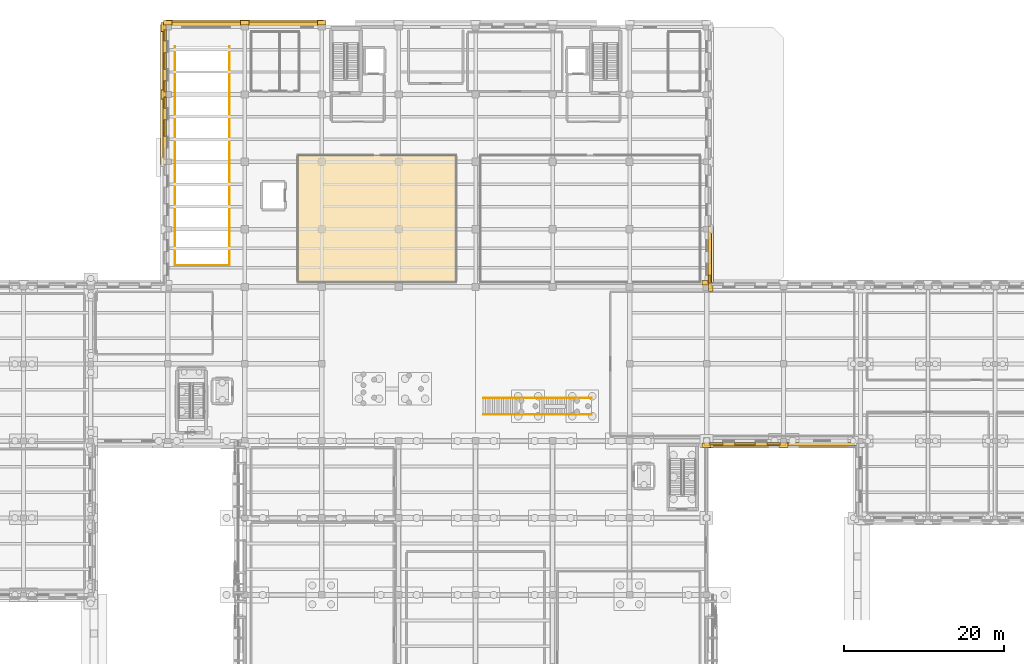
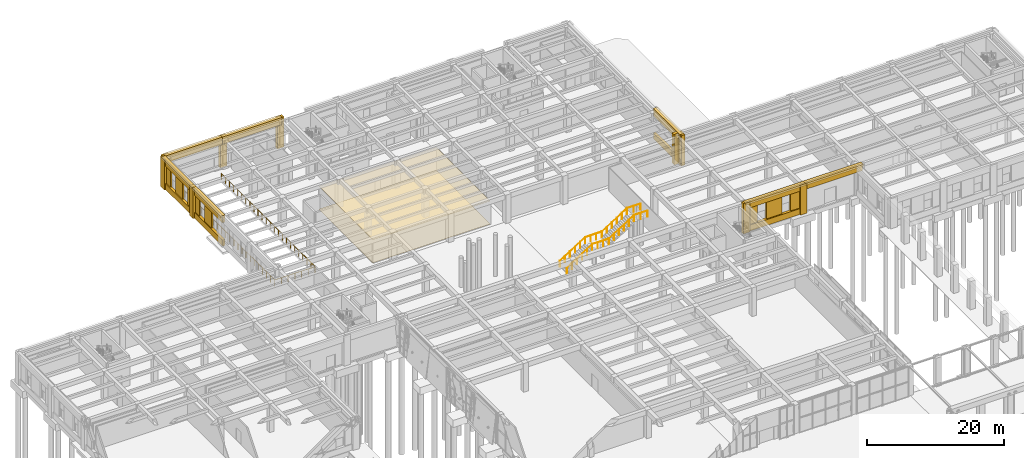
# One storey, part 45 of 51: 38 coverings, 3 railings.
"""IFC4 building model written with IfcOpenShell, lengths in metres."""

from ifc_helpers import new_model, si_unit, direction, frame, origin, origin_2d, place, context, subcontext, project, spatial, polyline, rectangle, circle, outline, extrude, material, layer, layer_set, type_object, element, save


model = new_model("IFC4")

# Units and contexts
model_context = context("Model", 3, precision=1e-05, world=origin(), true_north=direction((0.0, 1.0)))
body_context = subcontext(model_context, "Body", "Model", "MODEL_VIEW")
ifc_project = project(units=[si_unit("LENGTHUNIT", "METRE"), si_unit("AREAUNIT", "SQUARE_METRE"), si_unit("VOLUMEUNIT", "CUBIC_METRE"), si_unit("PLANEANGLEUNIT", "RADIAN"), si_unit("MASSUNIT", "GRAM", prefix="KILO")], contexts=[model_context])

# Site, building, storey
site_placement = place(None, origin())
site = spatial("IfcSite", under=ifc_project, at=site_placement, CompositionType="ELEMENT")
building_placement = place(site_placement, origin())
building = spatial("IfcBuilding", under=site, at=building_placement, Name="Bempovik Park Faculty of Sciences", CompositionType="ELEMENT")
storey_placement = place(building_placement, origin())
storey = spatial("IfcBuildingStorey", under=building, at=storey_placement, Name="L00", CompositionType="ELEMENT", Elevation=0.0)

# Coverings
ifc_material_1 = material(Name="Acoustic mineral ceiling tile")
ifc_layer_1 = layer(ifc_material_1, 0.0400390625)
ifc_layer_set_1 = layer_set([ifc_layer_1], Name="Acoustic mineral ceiling tile")
covering_type_1 = type_object("IfcCoveringType", Name="CE-01 Acoustic Ceiling 40mm", PredefinedType="CEILING", material=ifc_layer_set_1)
covering_1_placement = place(storey_placement, frame((0.0, 0.0, 4.080078125)))
element("IfcCovering", 1, at=covering_1_placement, inside=storey, type_object=covering_type_1, Name="L00 Faculty Admissions and Student Services Office Acoustic Ceiling", PredefinedType="CEILING", context=body_context, shape_type="SweptSolid", body=[
    extrude(outline(polyline([(66.6298828125, 87.6298828125), (86.3701171875, 87.6298828125), (86.3701171875, 103.3701171875), (66.6298828125, 103.3701171875), (66.6298828125, 87.6298828125)])), origin(), (0.0, 0.0, 1.0), 0.0400390625),
])
ifc_material_2 = material(Name="Precast concrete C40/50", Category="concrete")
ifc_layer_2 = layer(ifc_material_2, 0.179931640625)
ifc_layer_set_2 = layer_set([ifc_layer_2], Name="Precast concrete C40/50")
covering_type_2 = type_object("IfcCoveringType", Name="CL-02 Classical Cornice Band 180mm", PredefinedType="CLADDING", material=ifc_layer_set_2)
for number, where, z_axis, x_axis, name in (
    (2, (49.8701171875, 106.800048828125, 5.0400390625), (0.0, 0.0, 1.0), (1.0, 0.0, 0.0), "L00 Classical Projecting Dentil Cornice EW-L00-5825"),
    (3, (49.8701171875, 115.199951171875, 5.0400390625), (0.0, 0.0, 1.0), (1.0, 0.0, 0.0), "L00 Classical Projecting Dentil Cornice EW-L00-5835"),
):
    element("IfcCovering", number, at=place(storey_placement, frame(where, z_axis=z_axis, x_axis=x_axis)), inside=storey, type_object=covering_type_2, Name=name, PredefinedType="CLADDING", context=body_context, shape_type="SweptSolid", body=[
        extrude(rectangle(XDim=0.719970703125, YDim=9.0458984375, at=origin_2d()), origin(), (0.0, 0.0, 1.0), 0.360107421875),
    ])
for number, where, z_axis, x_axis, name in (
    (4, (55.199951171875, 119.929931640625, 5.0400390625), (0.0, 0.0, 1.0), (1.0, 0.0, 0.0), "L00 Classical Projecting Dentil Cornice EW-L00-5845"),
    (5, (64.800048828125, 119.929931640625, 5.0400390625), (0.0, 0.0, 1.0), (1.0, 0.0, 0.0), "L00 Classical Projecting Dentil Cornice EW-L00-5850"),
):
    element("IfcCovering", number, at=place(storey_placement, frame(where, z_axis=z_axis, x_axis=x_axis)), inside=storey, type_object=covering_type_2, Name=name, PredefinedType="CLADDING", context=body_context, shape_type="SweptSolid", body=[
        extrude(rectangle(XDim=10.0458984375, YDim=0.719970703125, at=origin_2d()), origin(), (0.0, 0.0, 1.0), 0.360107421875),
    ])
covering_2_placement = place(storey_placement, frame((118.1298828125, 90.64990234375, 5.0400390625), z_axis=(0.0, 0.0, 1.0), x_axis=(1.0, 0.0, 0.0)))
element("IfcCovering", 6, at=covering_2_placement, inside=storey, type_object=covering_type_2, Name="L00 Classical Projecting Dentil Cornice EW-L00-5880", PredefinedType="CLADDING", context=body_context, shape_type="SweptSolid", body=[
    extrude(rectangle(XDim=0.719970703125, YDim=7.74609375, at=origin_2d()), origin(), (0.0, 0.0, 1.0), 0.360107421875),
])
covering_3_placement = place(storey_placement, frame((122.39990234375, 67.27001953125, 5.0400390625), z_axis=(0.0, 0.0, 1.0), x_axis=(1.0, 0.0, 0.0)))
element("IfcCovering", 7, at=covering_3_placement, inside=storey, type_object=covering_type_2, Name="L00 Classical Projecting Dentil Cornice EW-L00-6051", PredefinedType="CLADDING", context=body_context, shape_type="SweptSolid", body=[
    extrude(rectangle(XDim=10.14599609375, YDim=0.719970703125, at=origin_2d()), origin(), (0.0, 0.0, 1.0), 0.360107421875),
])
covering_4_placement = place(storey_placement, frame((132.044921875, 67.27001953125, 5.0400390625), z_axis=(0.0, 0.0, 1.0), x_axis=(1.0, 0.0, 0.0)))
element("IfcCovering", 8, at=covering_4_placement, inside=storey, type_object=covering_type_2, Name="L00 Classical Projecting Dentil Cornice EW-L00-6062", PredefinedType="CLADDING", context=body_context, shape_type="SweptSolid", body=[
    extrude(rectangle(XDim=10.236083984375, YDim=0.719970703125, at=origin_2d()), origin(), (0.0, 0.0, 1.0), 0.360107421875),
])
ifc_material_3 = material(Name="White reconstituted limestone precast C40/50", Category="masonry")
ifc_layer_3 = layer(ifc_material_3, 0.239990234375)
ifc_layer_set_3 = layer_set([ifc_layer_3], Name="White reconstituted limestone precast C40/50")
covering_type_3 = type_object("IfcCoveringType", Name="CL-03 Classical Fluted Limestone Pilaster 240mm", PredefinedType="CLADDING", material=ifc_layer_set_3)
covering_5_placement = place(storey_placement, frame((50.010009765625, 106.800048828125, 4.1201171875), z_axis=(0.0, 0.0, 1.0), x_axis=(1.0, 0.0, 0.0)))
element("IfcCovering", 9, at=covering_5_placement, inside=storey, type_object=covering_type_3, Name="L00 Classical Limestone Spandrel Entablature EW-L00-5825", PredefinedType="CLADDING", context=body_context, shape_type="SweptSolid", body=[
    extrude(rectangle(XDim=0.43994140625, YDim=9.0458984375, at=origin_2d()), origin(), (0.0, 0.0, 1.0), 1.280029296875),
])
covering_6_placement = place(storey_placement, frame((50.010009765625, 106.800048828125, 0.0), z_axis=(0.0, 0.0, 1.0), x_axis=(1.0, 0.0, 0.0)))
element("IfcCovering", 10, at=covering_6_placement, inside=storey, type_object=covering_type_3, Name="L00 Classical Limestone Sill Dado EW-L00-5825", PredefinedType="CLADDING", context=body_context, shape_type="SweptSolid", body=[
    extrude(rectangle(XDim=0.43994140625, YDim=9.0458984375, at=origin_2d()), origin(), (0.0, 0.0, 1.0), 1.050048828125),
])
covering_7_placement = place(storey_placement, frame((49.8701171875, 111.0, 0.0), z_axis=(0.0, 0.0, 1.0), x_axis=(1.0, 0.0, 0.0)))
element("IfcCovering", 11, at=covering_7_placement, inside=storey, type_object=covering_type_3, Name="L00 Classical Fluted Stone Pilaster PIL-BA-L00-499-1110", PredefinedType="CLADDING", context=body_context, shape_type="SweptSolid", body=[
    extrude(rectangle(XDim=0.580078125, YDim=1.10009765625, at=origin_2d()), origin(), (0.0, 0.0, 1.0), 5.39990234375),
])
covering_8_placement = place(storey_placement, frame((50.070068359375, 106.800048828125, 0.0), z_axis=(0.0, 0.0, 1.0), x_axis=(1.0, 0.0, 0.0)))
element("IfcCovering", 12, at=covering_8_placement, inside=storey, type_object=covering_type_3, Name="L00 White Limestone Wall Cheek EW-L00-5825-2", PredefinedType="CLADDING", context=body_context, shape_type="SweptSolid", body=[
    extrude(rectangle(XDim=0.239990234375, YDim=2.060302734375, at=origin_2d()), origin(), (0.0, 0.0, 1.0), 4.280029296875),
])
covering_9_placement = place(storey_placement, frame((50.070068359375, 109.97900390625, 0.0), z_axis=(0.0, 0.0, 1.0), x_axis=(1.0, 0.0, 0.0)))
element("IfcCovering", 13, at=covering_9_placement, inside=storey, type_object=covering_type_3, Name="L00 White Limestone Wall Cheek EW-L00-5825-4", PredefinedType="CLADDING", context=body_context, shape_type="SweptSolid", body=[
    extrude(rectangle(XDim=0.239990234375, YDim=1.337890625, at=origin_2d()), origin(), (0.0, 0.0, 1.0), 4.280029296875),
])
covering_10_placement = place(storey_placement, frame((50.010009765625, 115.199951171875, 4.1201171875), z_axis=(0.0, 0.0, 1.0), x_axis=(1.0, 0.0, 0.0)))
element("IfcCovering", 14, at=covering_10_placement, inside=storey, type_object=covering_type_3, Name="L00 Classical Limestone Spandrel Entablature EW-L00-5835", PredefinedType="CLADDING", context=body_context, shape_type="SweptSolid", body=[
    extrude(rectangle(XDim=0.43994140625, YDim=9.0458984375, at=origin_2d()), origin(), (0.0, 0.0, 1.0), 1.280029296875),
])
covering_11_placement = place(storey_placement, frame((50.010009765625, 115.199951171875, 0.0), z_axis=(0.0, 0.0, 1.0), x_axis=(1.0, 0.0, 0.0)))
element("IfcCovering", 15, at=covering_11_placement, inside=storey, type_object=covering_type_3, Name="L00 Classical Limestone Sill Dado EW-L00-5835", PredefinedType="CLADDING", context=body_context, shape_type="SweptSolid", body=[
    extrude(rectangle(XDim=0.43994140625, YDim=9.0458984375, at=origin_2d()), origin(), (0.0, 0.0, 1.0), 1.050048828125),
])
covering_12_placement = place(storey_placement, frame((49.8701171875, 119.39990234375, 0.0), z_axis=(0.0, 0.0, 1.0), x_axis=(1.0, 0.0, 0.0)))
element("IfcCovering", 16, at=covering_12_placement, inside=storey, type_object=covering_type_3, Name="L00 Classical Fluted Stone Pilaster PIL-BA-L00-499-1194", PredefinedType="CLADDING", context=body_context, shape_type="SweptSolid", body=[
    extrude(rectangle(XDim=0.580078125, YDim=1.10009765625, at=origin_2d()), origin(), (0.0, 0.0, 1.0), 5.39990234375),
])
covering_13_placement = place(storey_placement, frame((50.070068359375, 112.02099609375, 0.0), z_axis=(0.0, 0.0, 1.0), x_axis=(1.0, 0.0, 0.0)))
element("IfcCovering", 17, at=covering_13_placement, inside=storey, type_object=covering_type_3, Name="L00 White Limestone Wall Cheek EW-L00-5835-0", PredefinedType="CLADDING", context=body_context, shape_type="SweptSolid", body=[
    extrude(rectangle(XDim=0.239990234375, YDim=1.337890625, at=origin_2d()), origin(), (0.0, 0.0, 1.0), 4.280029296875),
])
covering_14_placement = place(storey_placement, frame((50.070068359375, 115.199951171875, 0.0), z_axis=(0.0, 0.0, 1.0), x_axis=(1.0, 0.0, 0.0)))
element("IfcCovering", 18, at=covering_14_placement, inside=storey, type_object=covering_type_3, Name="L00 White Limestone Wall Cheek EW-L00-5835-2", PredefinedType="CLADDING", context=body_context, shape_type="SweptSolid", body=[
    extrude(rectangle(XDim=0.239990234375, YDim=2.060302734375, at=origin_2d()), origin(), (0.0, 0.0, 1.0), 4.280029296875),
])
covering_15_placement = place(storey_placement, frame((50.070068359375, 118.379150390625, 0.0), z_axis=(0.0, 0.0, 1.0), x_axis=(1.0, 0.0, 0.0)))
element("IfcCovering", 19, at=covering_15_placement, inside=storey, type_object=covering_type_3, Name="L00 White Limestone Wall Cheek EW-L00-5835-4", PredefinedType="CLADDING", context=body_context, shape_type="SweptSolid", body=[
    extrude(rectangle(XDim=0.239990234375, YDim=1.337890625, at=origin_2d()), origin(), (0.0, 0.0, 1.0), 4.280029296875),
])
covering_16_placement = place(storey_placement, frame((55.199951171875, 119.7900390625, 4.1201171875), z_axis=(0.0, 0.0, 1.0), x_axis=(1.0, 0.0, 0.0)))
element("IfcCovering", 20, at=covering_16_placement, inside=storey, type_object=covering_type_3, Name="L00 Classical Limestone Spandrel Entablature EW-L00-5845", PredefinedType="CLADDING", context=body_context, shape_type="SweptSolid", body=[
    extrude(rectangle(XDim=10.0458984375, YDim=0.43994140625, at=origin_2d()), origin(), (0.0, 0.0, 1.0), 1.280029296875),
])
for number, where, z_axis, x_axis, name in (
    (21, (50.39990234375, 119.929931640625, 0.0), (0.0, 0.0, 1.0), (1.0, 0.0, 0.0), "L00 Classical Fluted Stone Pilaster PIL-BA-L00-504-1199"),
    (22, (60.0, 119.929931640625, 0.0), (0.0, 0.0, 1.0), (1.0, 0.0, 0.0), "L00 Classical Fluted Stone Pilaster PIL-BA-L00-600-1199"),
):
    element("IfcCovering", number, at=place(storey_placement, frame(where, z_axis=z_axis, x_axis=x_axis)), inside=storey, type_object=covering_type_3, Name=name, PredefinedType="CLADDING", context=body_context, shape_type="SweptSolid", body=[
        extrude(rectangle(XDim=1.10009765625, YDim=0.580078125, at=origin_2d()), origin(), (0.0, 0.0, 1.0), 5.39990234375),
    ])
covering_17_placement = place(storey_placement, frame((64.800048828125, 119.7900390625, 4.1201171875), z_axis=(0.0, 0.0, 1.0), x_axis=(1.0, 0.0, 0.0)))
element("IfcCovering", 23, at=covering_17_placement, inside=storey, type_object=covering_type_3, Name="L00 Classical Limestone Spandrel Entablature EW-L00-5850", PredefinedType="CLADDING", context=body_context, shape_type="SweptSolid", body=[
    extrude(rectangle(XDim=10.0458984375, YDim=0.43994140625, at=origin_2d()), origin(), (0.0, 0.0, 1.0), 1.280029296875),
])
covering_18_placement = place(storey_placement, frame((69.60009765625, 119.929931640625, 0.0), z_axis=(0.0, 0.0, 1.0), x_axis=(1.0, 0.0, 0.0)))
element("IfcCovering", 24, at=covering_18_placement, inside=storey, type_object=covering_type_3, Name="L00 Classical Fluted Stone Pilaster PIL-BA-L00-696-1199", PredefinedType="CLADDING", context=body_context, shape_type="SweptSolid", body=[
    extrude(rectangle(XDim=1.10009765625, YDim=0.580078125, at=origin_2d()), origin(), (0.0, 0.0, 1.0), 5.39990234375),
])
covering_19_placement = place(storey_placement, frame((117.989990234375, 90.64990234375, 4.1201171875), z_axis=(0.0, 0.0, 1.0), x_axis=(1.0, 0.0, 0.0)))
element("IfcCovering", 25, at=covering_19_placement, inside=storey, type_object=covering_type_3, Name="L00 Classical Limestone Spandrel Entablature EW-L00-5880", PredefinedType="CLADDING", context=body_context, shape_type="SweptSolid", body=[
    extrude(rectangle(XDim=0.43994140625, YDim=7.74609375, at=origin_2d()), origin(), (0.0, 0.0, 1.0), 1.280029296875),
])
covering_20_placement = place(storey_placement, frame((117.989990234375, 90.64990234375, 0.0), z_axis=(0.0, 0.0, 1.0), x_axis=(1.0, 0.0, 0.0)))
element("IfcCovering", 26, at=covering_20_placement, inside=storey, type_object=covering_type_3, Name="L00 Classical Limestone Sill Dado EW-L00-5880", PredefinedType="CLADDING", context=body_context, shape_type="SweptSolid", body=[
    extrude(rectangle(XDim=0.43994140625, YDim=7.74609375, at=origin_2d()), origin(), (0.0, 0.0, 1.0), 1.050048828125),
])
covering_21_placement = place(storey_placement, frame((118.1298828125, 87.0, 0.0), z_axis=(0.0, 0.0, 1.0), x_axis=(1.0, 0.0, 0.0)))
element("IfcCovering", 27, at=covering_21_placement, inside=storey, type_object=covering_type_3, Name="L00 Classical Fluted Stone Pilaster PIL-BA-L00-1181-870", PredefinedType="CLADDING", context=body_context, shape_type="SweptSolid", body=[
    extrude(rectangle(XDim=0.580078125, YDim=1.10009765625, at=origin_2d()), origin(), (0.0, 0.0, 1.0), 5.39990234375),
])
covering_22_placement = place(storey_placement, frame((117.929931640625, 87.9453125, 0.0), z_axis=(0.0, 0.0, 1.0), x_axis=(1.0, 0.0, 0.0)))
element("IfcCovering", 28, at=covering_22_placement, inside=storey, type_object=covering_type_3, Name="L00 White Limestone Wall Cheek EW-L00-5880-0", PredefinedType="CLADDING", context=body_context, shape_type="SweptSolid", body=[
    extrude(rectangle(XDim=0.239990234375, YDim=0.98681640625, at=origin_2d()), origin(), (0.0, 0.0, 1.0), 4.280029296875),
])
covering_23_placement = place(storey_placement, frame((117.60009765625, 87.530029296875, 0.0), z_axis=(0.0, 0.0, 1.0), x_axis=(1.0, 0.0, 0.0)))
element("IfcCovering", 29, at=covering_23_placement, inside=storey, type_object=covering_type_3, Name="L00 Classical Fluted Stone Pilaster PIL-BA-L00-1176-875", PredefinedType="CLADDING", context=body_context, shape_type="SweptSolid", body=[
    extrude(rectangle(XDim=1.10009765625, YDim=0.580078125, at=origin_2d()), origin(), (0.0, 0.0, 1.0), 5.39990234375),
])
covering_24_placement = place(storey_placement, frame((122.39990234375, 67.409912109375, 4.1201171875), z_axis=(0.0, 0.0, 1.0), x_axis=(1.0, 0.0, 0.0)))
element("IfcCovering", 30, at=covering_24_placement, inside=storey, type_object=covering_type_3, Name="L00 Classical Limestone Spandrel Entablature EW-L00-6051", PredefinedType="CLADDING", context=body_context, shape_type="SweptSolid", body=[
    extrude(rectangle(XDim=10.14599609375, YDim=0.43994140625, at=origin_2d()), origin(), (0.0, 0.0, 1.0), 1.280029296875),
])
covering_25_placement = place(storey_placement, frame((122.39990234375, 67.409912109375, 0.0), z_axis=(0.0, 0.0, 1.0), x_axis=(1.0, 0.0, 0.0)))
element("IfcCovering", 31, at=covering_25_placement, inside=storey, type_object=covering_type_3, Name="L00 Classical Limestone Sill Dado EW-L00-6051", PredefinedType="CLADDING", context=body_context, shape_type="SweptSolid", body=[
    extrude(rectangle(XDim=10.14599609375, YDim=0.43994140625, at=origin_2d()), origin(), (0.0, 0.0, 1.0), 1.050048828125),
])
for number, where, z_axis, x_axis, name in (
    (32, (117.60009765625, 67.27001953125, 0.0), (0.0, 0.0, 1.0), (1.0, 0.0, 0.0), "L00 Classical Fluted Stone Pilaster PIL-BA-L00-1176-673"),
    (33, (127.199951171875, 67.27001953125, 0.0), (0.0, 0.0, 1.0), (1.0, 0.0, 0.0), "L00 Classical Fluted Stone Pilaster PIL-BA-L00-1272-673"),
):
    element("IfcCovering", number, at=place(storey_placement, frame(where, z_axis=z_axis, x_axis=x_axis)), inside=storey, type_object=covering_type_3, Name=name, PredefinedType="CLADDING", context=body_context, shape_type="SweptSolid", body=[
        extrude(rectangle(XDim=1.10009765625, YDim=0.580078125, at=origin_2d()), origin(), (0.0, 0.0, 1.0), 5.39990234375),
    ])
covering_26_placement = place(storey_placement, frame((118.8193359375, 67.469970703125, 0.0), z_axis=(0.0, 0.0, 1.0), x_axis=(1.0, 0.0, 0.0)))
element("IfcCovering", 34, at=covering_26_placement, inside=storey, type_object=covering_type_3, Name="L00 White Limestone Wall Cheek EW-L00-6051-0", PredefinedType="CLADDING", context=body_context, shape_type="SweptSolid", body=[
    extrude(rectangle(XDim=1.635009765625, YDim=0.239990234375, at=origin_2d()), origin(), (0.0, 0.0, 1.0), 4.280029296875),
])
covering_27_placement = place(storey_placement, frame((122.39990234375, 67.469970703125, 0.0), z_axis=(0.0, 0.0, 1.0), x_axis=(1.0, 0.0, 0.0)))
element("IfcCovering", 35, at=covering_27_placement, inside=storey, type_object=covering_type_3, Name="L00 White Limestone Wall Cheek EW-L00-6051-2", PredefinedType="CLADDING", context=body_context, shape_type="SweptSolid", body=[
    extrude(rectangle(XDim=2.566162109375, YDim=0.239990234375, at=origin_2d()), origin(), (0.0, 0.0, 1.0), 4.280029296875),
])
covering_28_placement = place(storey_placement, frame((125.98046875, 67.469970703125, 0.0), z_axis=(0.0, 0.0, 1.0), x_axis=(1.0, 0.0, 0.0)))
element("IfcCovering", 36, at=covering_28_placement, inside=storey, type_object=covering_type_3, Name="L00 White Limestone Wall Cheek EW-L00-6051-4", PredefinedType="CLADDING", context=body_context, shape_type="SweptSolid", body=[
    extrude(rectangle(XDim=1.635009765625, YDim=0.239990234375, at=origin_2d()), origin(), (0.0, 0.0, 1.0), 4.280029296875),
])
covering_29_placement = place(storey_placement, frame((132.044921875, 67.409912109375, 4.1201171875), z_axis=(0.0, 0.0, 1.0), x_axis=(1.0, 0.0, 0.0)))
element("IfcCovering", 37, at=covering_29_placement, inside=storey, type_object=covering_type_3, Name="L00 Classical Limestone Spandrel Entablature EW-L00-6062", PredefinedType="CLADDING", context=body_context, shape_type="SweptSolid", body=[
    extrude(rectangle(XDim=10.236083984375, YDim=0.43994140625, at=origin_2d()), origin(), (0.0, 0.0, 1.0), 1.280029296875),
])
ifc_material_4 = material(Name="Polished mineral terrazzo flooring")
ifc_layer_4 = layer(ifc_material_4, 0.030029296875)
ifc_layer_set_4 = layer_set([ifc_layer_4], Name="Polished mineral terrazzo flooring")
covering_type_4 = type_object("IfcCoveringType", Name="FL-01 Terrazzo Flooring 30mm", PredefinedType="FLOORING", material=ifc_layer_set_4)
covering_30_placement = place(storey_placement, origin())
element("IfcCovering", 38, at=covering_30_placement, inside=storey, type_object=covering_type_4, Name="L00 Faculty Admissions and Student Services Office Terrazzo Flooring", PredefinedType="FLOORING", context=body_context, shape_type="SweptSolid", body=[
    extrude(outline(polyline([(66.6298828125, 87.6298828125), (86.3701171875, 87.6298828125), (86.3701171875, 103.3701171875), (66.6298828125, 103.3701171875), (66.6298828125, 87.6298828125)])), origin(), (0.0, 0.0, 1.0), 0.030029296875),
])

# Railings
ifc_material_5 = material(Name="Anodised architectural bronze")
railing_type = type_object("IfcRailingType", Name="GR-01 Guardrail 1120mm", PredefinedType="GUARDRAIL", material=ifc_material_5)
railing_1_placement = place(storey_placement, frame((51.300048828125, 117.0, 0.0)))
element("IfcRailing", 39, at=railing_1_placement, inside=storey, type_object=railing_type, Name="L00 Vehicle Ramp Well Guardrail", PredefinedType="GUARDRAIL", context=body_context, shape_type="SweptSolid", body=[
    extrude(circle(Radius=0.02392578125, at=origin_2d()), frame((0.0, 0.0, 1.09619140625), z_axis=(0.0, -1.0, 0.0), x_axis=(1.0, 0.0, 0.0)), (0.0, 0.0, 1.0), 27.300048828125),
    extrude(circle(Radius=0.02392578125, at=origin_2d()), frame((0.0, -27.300048828125, 1.09619140625), z_axis=(1.0, 0.0, 0.0), x_axis=(0.0, 1.0, 0.0)), (0.0, 0.0, 1.0), 6.800048828125),
    extrude(circle(Radius=0.02392578125, at=origin_2d()), frame((6.800048828125, -27.300048828125, 1.09619140625), z_axis=(0.0, 1.0, 0.0), x_axis=(-1.0, 0.0, 0.0)), (0.0, 0.0, 1.0), 27.300048828125),
    extrude(circle(Radius=0.02099609375, at=origin_2d()), origin(), (0.0, 0.0, 1.0), 1.072021484375),
    extrude(circle(Radius=0.02099609375, at=origin_2d()), frame((0.0, -1.18701171875, 0.0)), (0.0, 0.0, 1.0), 1.072021484375),
    extrude(circle(Radius=0.02099609375, at=origin_2d()), frame((0.0, -2.3740234375, 0.0)), (0.0, 0.0, 1.0), 1.072021484375),
    extrude(circle(Radius=0.02099609375, at=origin_2d()), frame((0.0, -3.560791015625, 0.0)), (0.0, 0.0, 1.0), 1.072021484375),
    extrude(circle(Radius=0.02099609375, at=origin_2d()), frame((0.0, -4.747802734375, 0.0)), (0.0, 0.0, 1.0), 1.072021484375),
    extrude(circle(Radius=0.02099609375, at=origin_2d()), frame((0.0, -5.934814453125, 0.0)), (0.0, 0.0, 1.0), 1.072021484375),
    extrude(circle(Radius=0.02099609375, at=origin_2d()), frame((0.0, -7.121826171875, 0.0)), (0.0, 0.0, 1.0), 1.072021484375),
    extrude(circle(Radius=0.02099609375, at=origin_2d()), frame((0.0, -8.30859375, 0.0)), (0.0, 0.0, 1.0), 1.072021484375),
    extrude(circle(Radius=0.02099609375, at=origin_2d()), frame((0.0, -9.49560546875, 0.0)), (0.0, 0.0, 1.0), 1.072021484375),
    extrude(circle(Radius=0.02099609375, at=origin_2d()), frame((0.0, -10.6826171875, 0.0)), (0.0, 0.0, 1.0), 1.072021484375),
    extrude(circle(Radius=0.02099609375, at=origin_2d()), frame((0.0, -11.86962890625, 0.0)), (0.0, 0.0, 1.0), 1.072021484375),
    extrude(circle(Radius=0.02099609375, at=origin_2d()), frame((0.0, -13.056640625, 0.0)), (0.0, 0.0, 1.0), 1.072021484375),
    extrude(circle(Radius=0.02099609375, at=origin_2d()), frame((0.0, -14.243408203125, 0.0)), (0.0, 0.0, 1.0), 1.072021484375),
    extrude(circle(Radius=0.02099609375, at=origin_2d()), frame((0.0, -15.430419921875, 0.0)), (0.0, 0.0, 1.0), 1.072021484375),
    extrude(circle(Radius=0.02099609375, at=origin_2d()), frame((0.0, -16.617431640625, 0.0)), (0.0, 0.0, 1.0), 1.072021484375),
    extrude(circle(Radius=0.02099609375, at=origin_2d()), frame((0.0, -17.804443359375, 0.0)), (0.0, 0.0, 1.0), 1.072021484375),
    extrude(circle(Radius=0.02099609375, at=origin_2d()), frame((0.0, -18.991455078125, 0.0)), (0.0, 0.0, 1.0), 1.072021484375),
    extrude(circle(Radius=0.02099609375, at=origin_2d()), frame((0.0, -20.17822265625, 0.0)), (0.0, 0.0, 1.0), 1.072021484375),
    extrude(circle(Radius=0.02099609375, at=origin_2d()), frame((0.0, -21.365234375, 0.0)), (0.0, 0.0, 1.0), 1.072021484375),
    extrude(circle(Radius=0.02099609375, at=origin_2d()), frame((0.0, -22.55224609375, 0.0)), (0.0, 0.0, 1.0), 1.072021484375),
    extrude(circle(Radius=0.02099609375, at=origin_2d()), frame((0.0, -23.7392578125, 0.0)), (0.0, 0.0, 1.0), 1.072021484375),
    extrude(circle(Radius=0.02099609375, at=origin_2d()), frame((0.0, -24.926025390625, 0.0)), (0.0, 0.0, 1.0), 1.072021484375),
    extrude(circle(Radius=0.02099609375, at=origin_2d()), frame((0.0, -26.113037109375, 0.0)), (0.0, 0.0, 1.0), 1.072021484375),
    extrude(circle(Radius=0.02099609375, at=origin_2d()), frame((0.0, -27.300048828125, 0.0)), (0.0, 0.0, 1.0), 1.072021484375),
    extrude(circle(Radius=0.02099609375, at=origin_2d()), frame((1.13330078125, -27.300048828125, 0.0)), (0.0, 0.0, 1.0), 1.072021484375),
    extrude(circle(Radius=0.02099609375, at=origin_2d()), frame((2.2666015625, -27.300048828125, 0.0)), (0.0, 0.0, 1.0), 1.072021484375),
    extrude(circle(Radius=0.02099609375, at=origin_2d()), frame((3.39990234375, -27.300048828125, 0.0)), (0.0, 0.0, 1.0), 1.072021484375),
    extrude(circle(Radius=0.02099609375, at=origin_2d()), frame((4.533447265625, -27.300048828125, 0.0)), (0.0, 0.0, 1.0), 1.072021484375),
    extrude(circle(Radius=0.02099609375, at=origin_2d()), frame((5.666748046875, -27.300048828125, 0.0)), (0.0, 0.0, 1.0), 1.072021484375),
    extrude(circle(Radius=0.02099609375, at=origin_2d()), frame((6.800048828125, -27.300048828125, 0.0)), (0.0, 0.0, 1.0), 1.072021484375),
    extrude(circle(Radius=0.02099609375, at=origin_2d()), frame((6.800048828125, -26.113037109375, 0.0)), (0.0, 0.0, 1.0), 1.072021484375),
    extrude(circle(Radius=0.02099609375, at=origin_2d()), frame((6.800048828125, -24.926025390625, 0.0)), (0.0, 0.0, 1.0), 1.072021484375),
    extrude(circle(Radius=0.02099609375, at=origin_2d()), frame((6.800048828125, -23.7392578125, 0.0)), (0.0, 0.0, 1.0), 1.072021484375),
    extrude(circle(Radius=0.02099609375, at=origin_2d()), frame((6.800048828125, -22.55224609375, 0.0)), (0.0, 0.0, 1.0), 1.072021484375),
    extrude(circle(Radius=0.02099609375, at=origin_2d()), frame((6.800048828125, -21.365234375, 0.0)), (0.0, 0.0, 1.0), 1.072021484375),
    extrude(circle(Radius=0.02099609375, at=origin_2d()), frame((6.800048828125, -20.17822265625, 0.0)), (0.0, 0.0, 1.0), 1.072021484375),
    extrude(circle(Radius=0.02099609375, at=origin_2d()), frame((6.800048828125, -18.991455078125, 0.0)), (0.0, 0.0, 1.0), 1.072021484375),
    extrude(circle(Radius=0.02099609375, at=origin_2d()), frame((6.800048828125, -17.804443359375, 0.0)), (0.0, 0.0, 1.0), 1.072021484375),
    extrude(circle(Radius=0.02099609375, at=origin_2d()), frame((6.800048828125, -16.617431640625, 0.0)), (0.0, 0.0, 1.0), 1.072021484375),
    extrude(circle(Radius=0.02099609375, at=origin_2d()), frame((6.800048828125, -15.430419921875, 0.0)), (0.0, 0.0, 1.0), 1.072021484375),
    extrude(circle(Radius=0.02099609375, at=origin_2d()), frame((6.800048828125, -14.243408203125, 0.0)), (0.0, 0.0, 1.0), 1.072021484375),
    extrude(circle(Radius=0.02099609375, at=origin_2d()), frame((6.800048828125, -13.056640625, 0.0)), (0.0, 0.0, 1.0), 1.072021484375),
    extrude(circle(Radius=0.02099609375, at=origin_2d()), frame((6.800048828125, -11.86962890625, 0.0)), (0.0, 0.0, 1.0), 1.072021484375),
    extrude(circle(Radius=0.02099609375, at=origin_2d()), frame((6.800048828125, -10.6826171875, 0.0)), (0.0, 0.0, 1.0), 1.072021484375),
    extrude(circle(Radius=0.02099609375, at=origin_2d()), frame((6.800048828125, -9.49560546875, 0.0)), (0.0, 0.0, 1.0), 1.072021484375),
    extrude(circle(Radius=0.02099609375, at=origin_2d()), frame((6.800048828125, -8.30859375, 0.0)), (0.0, 0.0, 1.0), 1.072021484375),
    extrude(circle(Radius=0.02099609375, at=origin_2d()), frame((6.800048828125, -7.121826171875, 0.0)), (0.0, 0.0, 1.0), 1.072021484375),
    extrude(circle(Radius=0.02099609375, at=origin_2d()), frame((6.800048828125, -5.934814453125, 0.0)), (0.0, 0.0, 1.0), 1.072021484375),
    extrude(circle(Radius=0.02099609375, at=origin_2d()), frame((6.800048828125, -4.747802734375, 0.0)), (0.0, 0.0, 1.0), 1.072021484375),
    extrude(circle(Radius=0.02099609375, at=origin_2d()), frame((6.800048828125, -3.560791015625, 0.0)), (0.0, 0.0, 1.0), 1.072021484375),
    extrude(circle(Radius=0.02099609375, at=origin_2d()), frame((6.800048828125, -2.3740234375, 0.0)), (0.0, 0.0, 1.0), 1.072021484375),
    extrude(circle(Radius=0.02099609375, at=origin_2d()), frame((6.800048828125, -1.18701171875, 0.0)), (0.0, 0.0, 1.0), 1.072021484375),
    extrude(circle(Radius=0.02099609375, at=origin_2d()), frame((6.800048828125, 0.0, 0.0)), (0.0, 0.0, 1.0), 1.072021484375),
])
railing_2_placement = place(storey_placement, frame((89.75, 71.10498046875, 0.0)))
element("IfcRailing", 40, at=railing_2_placement, inside=storey, type_object=railing_type, Name="Atrium Monumental Stair Guard S", PredefinedType="GUARDRAIL", context=body_context, shape_type="SweptSolid", body=[
    extrude(circle(Radius=0.02392578125, at=origin_2d()), frame((0.0, 0.0, 1.09619140625), z_axis=(0.842275826768, 0.0, 0.539046780569), x_axis=(0.0, 1.0, 0.0)), (0.0, 0.0, 1.0), 5.0087890625),
    extrude(circle(Radius=0.02392578125, at=origin_2d()), frame((4.21875, 0.0, 3.7958984375), z_axis=(1.0, 0.0, 0.0), x_axis=(0.0, 1.0, 0.0)), (0.0, 0.0, 1.0), 2.8125),
    extrude(circle(Radius=0.02392578125, at=origin_2d()), frame((7.03125, 0.0, 3.7958984375), z_axis=(0.842275826768, 0.0, 0.539046780569), x_axis=(0.0, 1.0, 0.0)), (0.0, 0.0, 1.0), 5.0087890625),
    extrude(circle(Radius=0.02392578125, at=origin_2d()), frame((11.25, 0.0, 6.49609375), z_axis=(1.0, 0.0, 0.0), x_axis=(0.0, 1.0, 0.0)), (0.0, 0.0, 1.0), 2.25),
    extrude(circle(Radius=0.02099609375, at=origin_2d()), origin(), (0.0, 0.0, 1.0), 1.072021484375),
    extrude(circle(Radius=0.02099609375, at=origin_2d()), frame((0.84375, 0.0, 0.5400390625)), (0.0, 0.0, 1.0), 1.072021484375),
    extrude(circle(Radius=0.02099609375, at=origin_2d()), frame((1.6875, 0.0, 1.080078125)), (0.0, 0.0, 1.0), 1.072021484375),
    extrude(circle(Radius=0.02099609375, at=origin_2d()), frame((2.53125, 0.0, 1.619873046875)), (0.0, 0.0, 1.0), 1.072021484375),
    extrude(circle(Radius=0.02099609375, at=origin_2d()), frame((3.375, 0.0, 2.159912109375)), (0.0, 0.0, 1.0), 1.072021484375),
    extrude(circle(Radius=0.02099609375, at=origin_2d()), frame((4.21875, 0.0, 2.699951171875)), (0.0, 0.0, 1.0), 1.072021484375),
    extrude(circle(Radius=0.02099609375, at=origin_2d()), frame((5.15625, 0.0, 2.699951171875)), (0.0, 0.0, 1.0), 1.072021484375),
    extrude(circle(Radius=0.02099609375, at=origin_2d()), frame((6.09375, 0.0, 2.699951171875)), (0.0, 0.0, 1.0), 1.072021484375),
    extrude(circle(Radius=0.02099609375, at=origin_2d()), frame((7.03125, 0.0, 2.699951171875)), (0.0, 0.0, 1.0), 1.072021484375),
    extrude(circle(Radius=0.02099609375, at=origin_2d()), frame((7.875, 0.0, 3.239990234375)), (0.0, 0.0, 1.0), 1.072021484375),
    extrude(circle(Radius=0.02099609375, at=origin_2d()), frame((8.71875, 0.0, 3.780029296875)), (0.0, 0.0, 1.0), 1.072021484375),
    extrude(circle(Radius=0.02099609375, at=origin_2d()), frame((9.5625, 0.0, 4.31982421875)), (0.0, 0.0, 1.0), 1.072021484375),
    extrude(circle(Radius=0.02099609375, at=origin_2d()), frame((10.40625, 0.0, 4.85986328125)), (0.0, 0.0, 1.0), 1.072021484375),
    extrude(circle(Radius=0.02099609375, at=origin_2d()), frame((11.25, 0.0, 5.39990234375)), (0.0, 0.0, 1.0), 1.072021484375),
    extrude(circle(Radius=0.02099609375, at=origin_2d()), frame((12.375, 0.0, 5.39990234375)), (0.0, 0.0, 1.0), 1.072021484375),
    extrude(circle(Radius=0.02099609375, at=origin_2d()), frame((13.5, 0.0, 5.39990234375)), (0.0, 0.0, 1.0), 1.072021484375),
])
railing_3_placement = place(storey_placement, frame((89.75, 73.14501953125, 0.0)))
element("IfcRailing", 41, at=railing_3_placement, inside=storey, type_object=railing_type, Name="Atrium Monumental Stair Guard N", PredefinedType="GUARDRAIL", context=body_context, shape_type="SweptSolid", body=[
    extrude(circle(Radius=0.02392578125, at=origin_2d()), frame((0.0, 0.0, 1.09619140625), z_axis=(0.842275826768, 0.0, 0.539046780569), x_axis=(0.0, 1.0, 0.0)), (0.0, 0.0, 1.0), 5.0087890625),
    extrude(circle(Radius=0.02392578125, at=origin_2d()), frame((4.21875, 0.0, 3.7958984375), z_axis=(1.0, 0.0, 0.0), x_axis=(0.0, 1.0, 0.0)), (0.0, 0.0, 1.0), 2.8125),
    extrude(circle(Radius=0.02392578125, at=origin_2d()), frame((7.03125, 0.0, 3.7958984375), z_axis=(0.842275826768, 0.0, 0.539046780569), x_axis=(0.0, 1.0, 0.0)), (0.0, 0.0, 1.0), 5.0087890625),
    extrude(circle(Radius=0.02392578125, at=origin_2d()), frame((11.25, 0.0, 6.49609375), z_axis=(1.0, 0.0, 0.0), x_axis=(0.0, 1.0, 0.0)), (0.0, 0.0, 1.0), 2.25),
    extrude(circle(Radius=0.02099609375, at=origin_2d()), origin(), (0.0, 0.0, 1.0), 1.072021484375),
    extrude(circle(Radius=0.02099609375, at=origin_2d()), frame((0.84375, 0.0, 0.5400390625)), (0.0, 0.0, 1.0), 1.072021484375),
    extrude(circle(Radius=0.02099609375, at=origin_2d()), frame((1.6875, 0.0, 1.080078125)), (0.0, 0.0, 1.0), 1.072021484375),
    extrude(circle(Radius=0.02099609375, at=origin_2d()), frame((2.53125, 0.0, 1.619873046875)), (0.0, 0.0, 1.0), 1.072021484375),
    extrude(circle(Radius=0.02099609375, at=origin_2d()), frame((3.375, 0.0, 2.159912109375)), (0.0, 0.0, 1.0), 1.072021484375),
    extrude(circle(Radius=0.02099609375, at=origin_2d()), frame((4.21875, 0.0, 2.699951171875)), (0.0, 0.0, 1.0), 1.072021484375),
    extrude(circle(Radius=0.02099609375, at=origin_2d()), frame((5.15625, 0.0, 2.699951171875)), (0.0, 0.0, 1.0), 1.072021484375),
    extrude(circle(Radius=0.02099609375, at=origin_2d()), frame((6.09375, 0.0, 2.699951171875)), (0.0, 0.0, 1.0), 1.072021484375),
    extrude(circle(Radius=0.02099609375, at=origin_2d()), frame((7.03125, 0.0, 2.699951171875)), (0.0, 0.0, 1.0), 1.072021484375),
    extrude(circle(Radius=0.02099609375, at=origin_2d()), frame((7.875, 0.0, 3.239990234375)), (0.0, 0.0, 1.0), 1.072021484375),
    extrude(circle(Radius=0.02099609375, at=origin_2d()), frame((8.71875, 0.0, 3.780029296875)), (0.0, 0.0, 1.0), 1.072021484375),
    extrude(circle(Radius=0.02099609375, at=origin_2d()), frame((9.5625, 0.0, 4.31982421875)), (0.0, 0.0, 1.0), 1.072021484375),
    extrude(circle(Radius=0.02099609375, at=origin_2d()), frame((10.40625, 0.0, 4.85986328125)), (0.0, 0.0, 1.0), 1.072021484375),
    extrude(circle(Radius=0.02099609375, at=origin_2d()), frame((11.25, 0.0, 5.39990234375)), (0.0, 0.0, 1.0), 1.072021484375),
    extrude(circle(Radius=0.02099609375, at=origin_2d()), frame((12.375, 0.0, 5.39990234375)), (0.0, 0.0, 1.0), 1.072021484375),
    extrude(circle(Radius=0.02099609375, at=origin_2d()), frame((13.5, 0.0, 5.39990234375)), (0.0, 0.0, 1.0), 1.072021484375),
])

save(model, "model.ifc")
